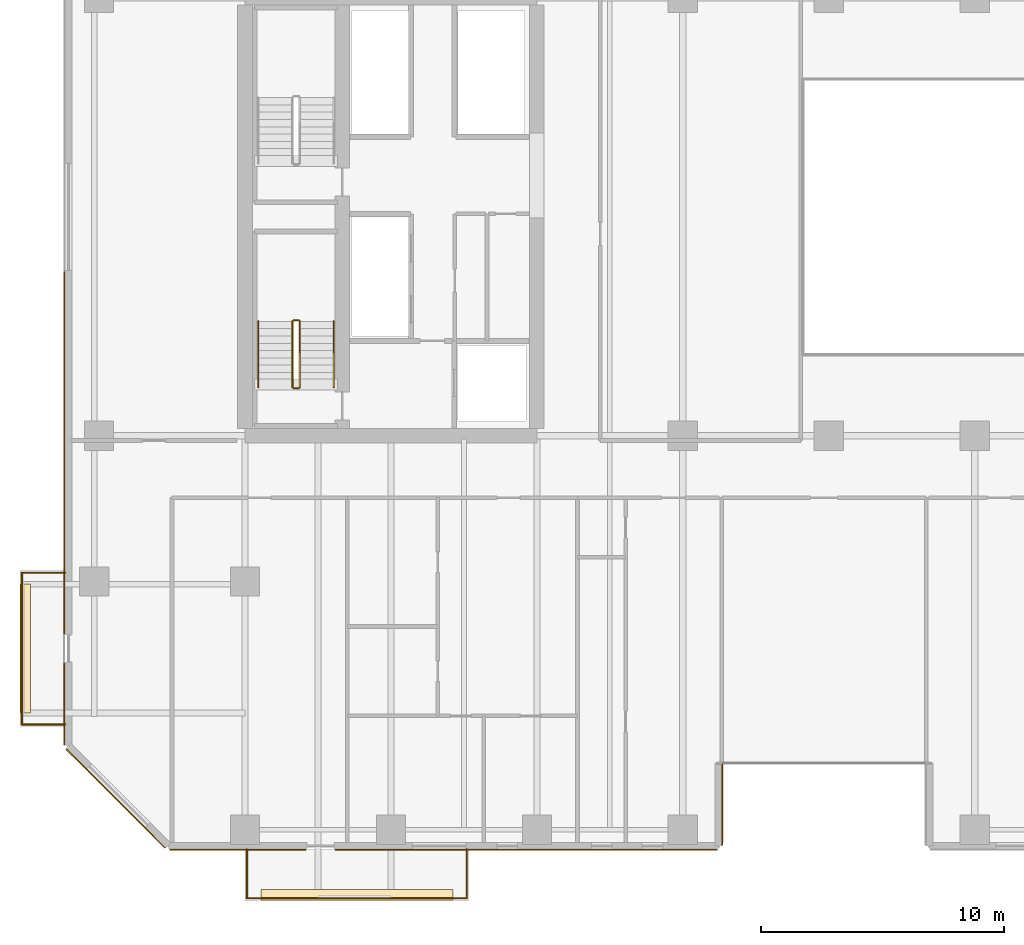
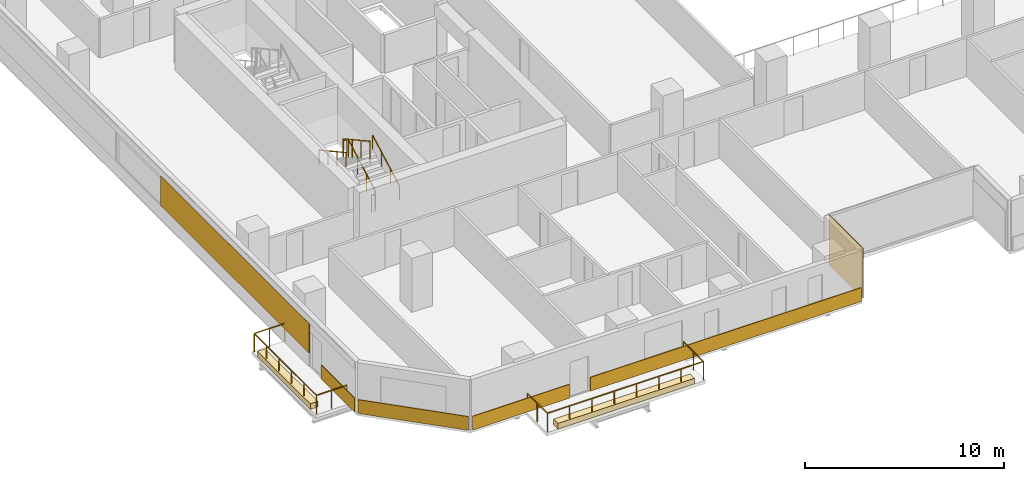
# One storey, part 18 of 26: 8 coverings, 8 railings.
"""IFC4 building model written with IfcOpenShell, lengths in metres."""

import ifcopenshell
import ifcopenshell.guid

model = None  # the IFC model being written
_history = None  # IfcOwnerHistory: only IFC2X3 demands one
_inside = {}  # id of a spatial element -> (the spatial element, [elements in it])
_under = {}  # id of a project, library or spatial element -> (it, [spatial elements below it])
_declared = {}  # id of a project -> (the project, [libraries it declares])
_typed = {}  # id of a type object -> (the type object, [elements of that type])
_made_of = {}  # id of a material, layer set ... -> (it, [elements and type objects made of it])


def new_model(schema):
    """Start an empty IFC model of exactly this schema.

    Asked for "IFC4X3", IfcOpenShell would pick the latest addendum, in which some entities
    have other attributes; the version numbers below select the first issue.
    IFC2X3 requires an IfcOwnerHistory on every rooted entity: one is made here for all.
    """
    global model, _history
    if schema == "IFC4X3":
        model = ifcopenshell.file(schema_version=(4, 3, 0, 0))
    else:
        model = ifcopenshell.file(schema=schema)
    _inside.clear()
    _under.clear()
    _declared.clear()
    _typed.clear()
    _made_of.clear()
    _history = None
    if model.schema == "IFC2X3":
        org = make("IfcOrganization", Name="unknown")
        user = make(
            "IfcPersonAndOrganization",
            ThePerson=make("IfcPerson", FamilyName="unknown"),
            TheOrganization=org,
        )
        app = make(
            "IfcApplication",
            ApplicationDeveloper=org,
            Version="unknown",
            ApplicationFullName="unknown",
            ApplicationIdentifier="unknown",
        )
        _history = make(
            "IfcOwnerHistory",
            OwningUser=user,
            OwningApplication=app,
            ChangeAction="ADDED",
            CreationDate=0,
        )
    return model


def make(cls, **values):
    """One entity of the class cls with the attributes given. An attribute that is None is left unset."""
    return model.create_entity(
        cls, **{name: value for name, value in values.items() if value is not None}
    )


def rooted(cls, **values):
    """An entity with a GlobalId (a new one), such as an element, a storey or a relation."""
    return make(cls, GlobalId=ifcopenshell.guid.new(), OwnerHistory=_history, **values)


def si_unit(unit_type, name, prefix=None):
    """IfcSIUnit, for example si_unit("LENGTHUNIT", "METRE", prefix="MILLI")."""
    return make("IfcSIUnit", UnitType=unit_type, Prefix=prefix, Name=name)


def assignment(units):
    """IfcUnitAssignment: the units of a project."""
    return None if units is None else make("IfcUnitAssignment", Units=units)


def point(xyz):
    """IfcCartesianPoint."""
    return None if xyz is None else make("IfcCartesianPoint", Coordinates=xyz)


def direction(xyz):
    """IfcDirection."""
    return None if xyz is None else make("IfcDirection", DirectionRatios=xyz)


def frame(location, z_axis=None, x_axis=None):
    """IfcAxis2Placement3D, a coordinate frame: its origin and axes. An axis left out is left unset."""
    return make(
        "IfcAxis2Placement3D",
        Location=point(location),
        Axis=direction(z_axis),
        RefDirection=direction(x_axis),
    )


def frame_2d(location, x_axis=None):
    """IfcAxis2Placement2D, a coordinate frame in the plane: its origin and x axis."""
    return make(
        "IfcAxis2Placement2D", Location=point(location), RefDirection=direction(x_axis)
    )


def origin():
    """The frame at (0, 0, 0) with its axes left unset."""
    return frame((0.0, 0.0, 0.0))


def origin_2d():
    """The frame at (0, 0) in the plane with its x axis left unset."""
    return frame_2d((0.0, 0.0))


def place(relative_to, where):
    """IfcLocalPlacement: puts the frame where relative to a parent placement (None: the world)."""
    return make(
        "IfcLocalPlacement", PlacementRelTo=relative_to, RelativePlacement=where
    )


def context(
    kind, dimensions, precision=None, world=None, true_north=None, identifier=None
):
    """IfcGeometricRepresentationContext, for example the 3D "Model" context."""
    return make(
        "IfcGeometricRepresentationContext",
        ContextIdentifier=identifier,
        ContextType=kind,
        CoordinateSpaceDimension=dimensions,
        Precision=precision,
        WorldCoordinateSystem=world,
        TrueNorth=true_north,
    )


def subcontext(parent, identifier, kind, view, scale=None):
    """IfcGeometricRepresentationSubContext, for example "Body" below "Model"."""
    return make(
        "IfcGeometricRepresentationSubContext",
        ContextIdentifier=identifier,
        ContextType=kind,
        ParentContext=parent,
        TargetScale=scale,
        TargetView=view,
    )


def project(units=None, contexts=None):
    """IfcProject with its units and contexts."""
    return rooted(
        "IfcProject",
        Name="project",
        RepresentationContexts=contexts,
        UnitsInContext=assignment(units),
    )


def spatial(cls, under=None, at=None, **own):
    """A site, building, storey or space (cls), placed at a placement, below another one or the project."""
    s = rooted(cls, ObjectPlacement=at, **own)
    if under is not None:
        _under.setdefault(under.id(), (under, []))[1].append(s)
    return s


def polyline(points):
    """IfcPolyline through the points."""
    return make("IfcPolyline", Points=[point(p) for p in points])


def profile(cls, at=None, kind="AREA", **sizes):
    """A parametric profile (cls). Its sizes go by their IFC names, for example OverallWidth=200.0."""
    return make(cls, ProfileType=kind, Position=at, **sizes)


def rectangle(**sizes):
    """IfcRectangleProfileDef."""
    return profile("IfcRectangleProfileDef", **sizes)


def outline(outer, holes=None, kind="AREA"):
    """IfcArbitraryClosedProfileDef: a profile drawn as a closed curve; with holes, ...WithVoids."""
    if holes is None:
        return make("IfcArbitraryClosedProfileDef", ProfileType=kind, OuterCurve=outer)
    return make(
        "IfcArbitraryProfileDefWithVoids",
        ProfileType=kind,
        OuterCurve=outer,
        InnerCurves=holes,
    )


def extrude(swept, where, along, depth):
    """IfcExtrudedAreaSolid: the profile swept, set in the frame where, extruded along a direction by depth."""
    return make(
        "IfcExtrudedAreaSolid",
        SweptArea=swept,
        Position=where,
        ExtrudedDirection=direction(along),
        Depth=depth,
    )


def shape(context_of_items, identifier, shape_type, items):
    """IfcShapeRepresentation: the items that make up one representation, for example the "Body"."""
    return make(
        "IfcShapeRepresentation",
        ContextOfItems=context_of_items,
        RepresentationIdentifier=identifier,
        RepresentationType=shape_type,
        Items=items,
    )


def material(Name=None, Category=None):
    """IfcMaterial."""
    return make("IfcMaterial", Name=Name, Category=Category)


def layer(
    of_material, thickness, ventilated=None, Name=None, Category=None, Priority=None
):
    """IfcMaterialLayer: one layer of a wall or slab, of a material (None: an air gap)."""
    return make(
        "IfcMaterialLayer",
        Material=of_material,
        LayerThickness=thickness,
        IsVentilated=ventilated,
        Name=Name,
        Category=Category,
        Priority=Priority,
    )


def layer_set(layers, Name=None):
    """IfcMaterialLayerSet."""
    return make("IfcMaterialLayerSet", MaterialLayers=layers, LayerSetName=Name)


def made_of(thing, what):
    """Note that an element or type object is made of a material, layer set ...; save() writes the relation."""
    if what is not None:
        _made_of.setdefault(what.id(), (what, []))[1].append(thing)
    return thing


def type_object(cls, material=None, **own):
    """A type object (cls), such as IfcWallType, which elements share."""
    return made_of(rooted(cls, **own), material)


def element(
    cls,
    number,
    at=None,
    inside=None,
    cuts=None,
    type_object=None,
    material=None,
    context=None,
    identifier="Body",
    shape_type=None,
    held_by="IfcProductDefinitionShape",
    body=None,
    shapes=None,
    **own,
):
    """One element of the class cls, such as IfcWall. Its Tag is "e" and its number.

    at: its placement. inside: the storey or other place that contains it. cuts: it is an
    opening in that element (IfcRelVoidsElement). A single representation is given by context,
    identifier, shape_type and body (its items); several are given by shapes. held_by: the class
    of the entity that holds the representations. save() writes the other relations.
    """
    e = rooted(cls, Tag="e%d" % number, ObjectPlacement=at, **own)
    if body is not None:
        shapes = [shape(context, identifier, shape_type, body)]
    if shapes is not None:
        e.Representation = make(held_by, Representations=shapes)
    if inside is not None:
        _inside.setdefault(inside.id(), (inside, []))[1].append(e)
    if cuts is not None:
        rooted(
            "IfcRelVoidsElement", RelatingBuildingElement=cuts, RelatedOpeningElement=e
        )
    if type_object is not None:
        _typed.setdefault(type_object.id(), (type_object, []))[1].append(e)
    return made_of(e, material)


def aggregate(whole, parts):
    """IfcRelAggregates: a whole, such as a stair, and the parts it consists of."""
    return rooted("IfcRelAggregates", RelatingObject=whole, RelatedObjects=parts)


def save(model, path):
    """Write the relations noted so far, then the file.

    IfcRelAggregates (storeys below a building ...), IfcRelContainedInSpatialStructure (elements
    in a storey), IfcRelDefinesByType, IfcRelAssociatesMaterial and IfcRelDeclares: one each for
    every whole, place, type object, material and project.
    """
    for whole, parts in _under.values():
        aggregate(whole, parts)
    for where, things in _inside.values():
        rooted(
            "IfcRelContainedInSpatialStructure",
            RelatedElements=things,
            RelatingStructure=where,
        )
    for kind, things in _typed.values():
        rooted("IfcRelDefinesByType", RelatedObjects=things, RelatingType=kind)
    for what, things in _made_of.values():
        rooted("IfcRelAssociatesMaterial", RelatedObjects=things, RelatingMaterial=what)
    for by, libraries in _declared.values():
        rooted("IfcRelDeclares", RelatingContext=by, RelatedDefinitions=libraries)
    model.write(path)


model = new_model("IFC4")

# Units and contexts
model_context = context("Model", 3, precision=1e-05, world=origin(), true_north=direction((0.0, 1.0)))
body_context = subcontext(model_context, "Body", "Model", "MODEL_VIEW")
ifc_project = project(units=[si_unit("LENGTHUNIT", "METRE"), si_unit("AREAUNIT", "SQUARE_METRE"), si_unit("VOLUMEUNIT", "CUBIC_METRE"), si_unit("PLANEANGLEUNIT", "RADIAN"), si_unit("MASSUNIT", "GRAM", prefix="KILO")], contexts=[model_context])

# Site, building, storey
site_placement = place(None, origin())
site = spatial("IfcSite", under=ifc_project, at=site_placement, CompositionType="ELEMENT")
building_placement = place(site_placement, origin())
building = spatial("IfcBuilding", under=site, at=building_placement, Name="Tanjung Sevakor Pilgrim Tower", CompositionType="ELEMENT")
storey_placement = place(building_placement, frame((0.0, 0.0, 45.5400390625)))
storey = spatial("IfcBuildingStorey", under=building, at=storey_placement, Name="L12", CompositionType="ELEMENT", Elevation=45.5400390625)

# Coverings
ifc_material_1 = material(Name="Reconstructed Limestone Cladding", Category="masonry")
ifc_layer_1 = layer(ifc_material_1, 0.044921875)
ifc_layer_set_1 = layer_set([ifc_layer_1], Name="COV-CLAD-LIMESTONE")
covering_type_1 = type_object("IfcCoveringType", Name="COV-CLAD-LIMESTONE", PredefinedType="CLADDING", material=ifc_layer_set_1)
covering_1_placement = place(storey_placement, frame((23.694091796875, 7.577392578125, 0.009765625), z_axis=(0.0, 0.0, 1.0), x_axis=(1.0, 0.0, 0.0)))
element("IfcCovering", 1, at=covering_1_placement, inside=storey, type_object=covering_type_1, Name="L12 Warm Limestone Sill Spandrel EW-L12-MAIN-1-1", PredefinedType="CLADDING", context=body_context, shape_type="SweptSolid", body=[
    extrude(rectangle(XDim=5.592041015625, YDim=0.044921875, at=origin_2d()), origin(), (0.0, 0.0, 1.0), 0.840087890625),
])
covering_2_placement = place(storey_placement, frame((35.56494140625, 7.577392578125, 0.009765625), z_axis=(0.0, 0.0, 1.0), x_axis=(1.0, 0.0, 0.0)))
element("IfcCovering", 2, at=covering_2_placement, inside=storey, type_object=covering_type_1, Name="L12 Warm Limestone Sill Spandrel EW-L12-MAIN-1-2", PredefinedType="CLADDING", context=body_context, shape_type="SweptSolid", body=[
    extrude(rectangle(XDim=15.7099609375, YDim=0.044921875, at=origin_2d()), origin(), (0.0, 0.0, 1.0), 0.840087890625),
])
covering_3_placement = place(storey_placement, frame((43.62255859375, 9.43994140625, 0.02001953125), z_axis=(0.0, 0.0, 1.0), x_axis=(0.0, 1.0, 0.0)))
element("IfcCovering", 3, at=covering_3_placement, inside=storey, type_object=covering_type_1, Name="L12 Warm Limestone Wall Cladding EW-L12-MAIN-2", PredefinedType="CLADDING", context=body_context, shape_type="SweptSolid", body=[
    extrude(rectangle(XDim=3.360107421875, YDim=0.044921875, at=origin_2d()), origin(), (0.0, 0.0, 1.0), 3.0400390625),
])
covering_4_placement = place(storey_placement, frame((16.577392578125, 13.569091796875, 0.009765625), z_axis=(0.0, 0.0, 1.0), x_axis=(0.0, -1.0, 0.0)))
element("IfcCovering", 4, at=covering_4_placement, inside=storey, type_object=covering_type_1, Name="L12 Warm Limestone Sill Spandrel EW-L12-MAIN-15-3", PredefinedType="CLADDING", context=body_context, shape_type="SweptSolid", body=[
    extrude(rectangle(XDim=3.342041015625, YDim=0.044921875, at=origin_2d()), origin(), (0.0, 0.0, 1.0), 0.840087890625),
])
covering_5_placement = place(storey_placement, frame((16.577392578125, 23.89990234375, 0.849853515625), z_axis=(0.0, 0.0, 1.0), x_axis=(0.0, -1.0, 0.0)))
element("IfcCovering", 5, at=covering_5_placement, inside=storey, type_object=covering_type_1, Name="L12 Warm Limestone Pier Panel EW-L12-MAIN-15-2", PredefinedType="CLADDING", context=body_context, shape_type="SweptSolid", body=[
    extrude(rectangle(XDim=14.89990234375, YDim=0.044921875, at=origin_2d()), origin(), (0.0, 0.0, 1.0), 1.81005859375),
])
covering_6_placement = place(storey_placement, frame((18.68408203125, 9.68408203125, 0.009765625), z_axis=(0.0, 0.0, 1.0), x_axis=(0.707106781187, -0.707106781187, 0.0)))
element("IfcCovering", 6, at=covering_6_placement, inside=storey, type_object=covering_type_1, Name="L12 Warm Limestone Sill Spandrel EW-CHM-L12-MAIN-15-1", PredefinedType="CLADDING", context=body_context, shape_type="SweptSolid", body=[
    extrude(rectangle(XDim=5.74365234375, YDim=0.044921875, at=origin_2d()), origin(), (0.0, 0.0, 1.0), 0.840087890625),
])
ifc_material_2 = material(Name="Vegetated Modular Planter Assembly", Category="organic")
ifc_layer_2 = layer(ifc_material_2, 0.35009765625)
ifc_layer_set_2 = layer_set([ifc_layer_2], Name="COV-GRN-TROUGH")
covering_type_2 = type_object("IfcCoveringType", Name="COV-GRN-TROUGH", PredefinedType="CLADDING", material=ifc_layer_set_2)
covering_7_placement = place(storey_placement, origin())
element("IfcCovering", 7, at=covering_7_placement, inside=storey, type_object=covering_type_2, Name="L12 Planted Landscape Hedge Trough BGRN-L12-MAIN-S1", PredefinedType="CLADDING", context=body_context, shape_type="SweptSolid", body=[
    extrude(outline(polyline([(24.64990234375, 5.5), (32.550048828125, 5.5), (32.550048828125, 5.93994140625), (24.64990234375, 5.93994140625), (24.64990234375, 5.5)])), origin(), (0.0, 0.0, 1.0), 0.349853515625),
])
covering_8_placement = place(storey_placement, origin())
element("IfcCovering", 8, at=covering_8_placement, inside=storey, type_object=covering_type_2, Name="L12 Planted Landscape Hedge Trough BGRN-L12-MAIN-W1", PredefinedType="CLADDING", context=body_context, shape_type="SweptSolid", body=[
    extrude(outline(polyline([(15.18994140625, 13.199951171875), (15.18994140625, 18.5), (14.75, 18.5), (14.75, 13.199951171875), (15.18994140625, 13.199951171875)])), origin(), (0.0, 0.0, 1.0), 0.349853515625),
])

# Railings
ifc_material_3 = material(Name="Laminated Glass and Aluminium", Category="aluminium")
railing_type_1 = type_object("IfcRailingType", Name="RL-BAL-BALUST", PredefinedType="BALUSTRADE", material=ifc_material_3)
railing_1_placement = place(storey_placement, frame((24.080078125, 7.60009765625, 0.0)))
element("IfcRailing", 9, at=railing_1_placement, inside=storey, type_object=railing_type_1, Name="L12 Loggia Balustrade MAIN-S1", PredefinedType="BALUSTRADE", context=body_context, shape_type="SweptSolid", body=[
    extrude(rectangle(XDim=0.0479, YDim=0.0479), frame((0.0, 0.0, 1.1259765625), z_axis=(0.0, -1.0, 0.0), x_axis=(1.0, 0.0, 0.0)), (0.0, 0.0, 1.0), 2.02001953125),
    extrude(rectangle(XDim=0.0479, YDim=0.0479), frame((0.0, -2.02001953125, 1.1259765625), z_axis=(1.0, 0.0, 0.0), x_axis=(0.0, 1.0, 0.0)), (0.0, 0.0, 1.0), 9.0400390625),
    extrude(rectangle(XDim=0.0479, YDim=0.0479), frame((9.0400390625, -2.02001953125, 1.1259765625), z_axis=(0.0, 1.0, 0.0), x_axis=(-1.0, 0.0, 0.0)), (0.0, 0.0, 1.0), 2.02001953125),
    extrude(rectangle(XDim=0.042, YDim=0.042), origin(), (0.0, 0.0, 1.0), 1.101806640625),
    extrude(rectangle(XDim=0.042, YDim=0.042), frame((0.0, -1.010009765625, 0.0)), (0.0, 0.0, 1.0), 1.101806640625),
    extrude(rectangle(XDim=0.042, YDim=0.042), frame((0.0, -2.02001953125, 0.0)), (0.0, 0.0, 1.0), 1.101806640625),
    extrude(rectangle(XDim=0.042, YDim=0.042), frame((1.29150390625, -2.02001953125, 0.0)), (0.0, 0.0, 1.0), 1.101806640625),
    extrude(rectangle(XDim=0.042, YDim=0.042), frame((2.582763671875, -2.02001953125, 0.0)), (0.0, 0.0, 1.0), 1.101806640625),
    extrude(rectangle(XDim=0.042, YDim=0.042), frame((3.874267578125, -2.02001953125, 0.0)), (0.0, 0.0, 1.0), 1.101806640625),
    extrude(rectangle(XDim=0.042, YDim=0.042), frame((5.165771484375, -2.02001953125, 0.0)), (0.0, 0.0, 1.0), 1.101806640625),
    extrude(rectangle(XDim=0.042, YDim=0.042), frame((6.457275390625, -2.02001953125, 0.0)), (0.0, 0.0, 1.0), 1.101806640625),
    extrude(rectangle(XDim=0.042, YDim=0.042), frame((7.74853515625, -2.02001953125, 0.0)), (0.0, 0.0, 1.0), 1.101806640625),
    extrude(rectangle(XDim=0.042, YDim=0.042), frame((9.0400390625, -2.02001953125, 0.0)), (0.0, 0.0, 1.0), 1.101806640625),
    extrude(rectangle(XDim=0.042, YDim=0.042), frame((9.0400390625, -1.010009765625, 0.0)), (0.0, 0.0, 1.0), 1.101806640625),
    extrude(rectangle(XDim=0.042, YDim=0.042), frame((9.0400390625, 0.0, 0.0)), (0.0, 0.0, 1.0), 1.101806640625),
])
railing_2_placement = place(storey_placement, frame((16.60009765625, 12.72998046875, 0.0)))
element("IfcRailing", 10, at=railing_2_placement, inside=storey, type_object=railing_type_1, Name="L12 Loggia Balustrade MAIN-W1", PredefinedType="BALUSTRADE", context=body_context, shape_type="SweptSolid", body=[
    extrude(rectangle(XDim=0.0479, YDim=0.0479), frame((0.0, 0.0, 1.1259765625), z_axis=(-1.0, 0.0, 0.0), x_axis=(0.0, -1.0, 0.0)), (0.0, 0.0, 1.0), 1.77001953125),
    extrude(rectangle(XDim=0.0479, YDim=0.0479), frame((-1.77001953125, 0.0, 1.1259765625), z_axis=(0.0, 1.0, 0.0), x_axis=(-1.0, 0.0, 0.0)), (0.0, 0.0, 1.0), 6.239990234375),
    extrude(rectangle(XDim=0.0479, YDim=0.0479), frame((-1.77001953125, 6.239990234375, 1.1259765625), z_axis=(1.0, 0.0, 0.0), x_axis=(0.0, 1.0, 0.0)), (0.0, 0.0, 1.0), 1.77001953125),
    extrude(rectangle(XDim=0.042, YDim=0.042), origin(), (0.0, 0.0, 1.0), 1.101806640625),
    extrude(rectangle(XDim=0.042, YDim=0.042), frame((-0.885009765625, 0.0, 0.0)), (0.0, 0.0, 1.0), 1.101806640625),
    extrude(rectangle(XDim=0.042, YDim=0.042), frame((-1.77001953125, 0.0, 0.0)), (0.0, 0.0, 1.0), 1.101806640625),
    extrude(rectangle(XDim=0.042, YDim=0.042), frame((-1.77001953125, 1.248046875, 0.0)), (0.0, 0.0, 1.0), 1.101806640625),
    extrude(rectangle(XDim=0.042, YDim=0.042), frame((-1.77001953125, 2.49609375, 0.0)), (0.0, 0.0, 1.0), 1.101806640625),
    extrude(rectangle(XDim=0.042, YDim=0.042), frame((-1.77001953125, 3.743896484375, 0.0)), (0.0, 0.0, 1.0), 1.101806640625),
    extrude(rectangle(XDim=0.042, YDim=0.042), frame((-1.77001953125, 4.991943359375, 0.0)), (0.0, 0.0, 1.0), 1.101806640625),
    extrude(rectangle(XDim=0.042, YDim=0.042), frame((-1.77001953125, 6.239990234375, 0.0)), (0.0, 0.0, 1.0), 1.101806640625),
    extrude(rectangle(XDim=0.042, YDim=0.042), frame((-0.885009765625, 6.239990234375, 0.0)), (0.0, 0.0, 1.0), 1.101806640625),
    extrude(rectangle(XDim=0.042, YDim=0.042), frame((0.0, 6.239990234375, 0.0)), (0.0, 0.0, 1.0), 1.101806640625),
])
ifc_material_4 = material(Name="Steel S355J2", Category="steel")
railing_type_2 = type_object("IfcRailingType", Name="RL-STAIR-GUARD", PredefinedType="GUARDRAIL", material=ifc_material_4)
railing_3_placement = place(storey_placement, frame((26.25, 26.60009765625, 0.1650390625)))
element("IfcRailing", 11, at=railing_3_placement, inside=storey, type_object=railing_type_2, Name="L12 TS-W1 stair guard 1", PredefinedType="GUARDRAIL", context=body_context, shape_type="SweptSolid", body=[
    extrude(rectangle(XDim=0.0479, YDim=0.0479), frame((0.0, 0.0, 1.076171875), z_axis=(0.0, 0.876230963923, 0.481891375584), x_axis=(-1.0, 0.0, 0.0)), (0.0, 0.0, 1.0), 3.081298828125),
    extrude(rectangle(XDim=0.042, YDim=0.042), origin(), (0.0, 0.0, 1.0), 1.052001953125),
    extrude(rectangle(XDim=0.042, YDim=0.042), frame((0.0, 0.89990234375, 0.494873046875)), (0.0, 0.0, 1.0), 1.052001953125),
    extrude(rectangle(XDim=0.042, YDim=0.042), frame((0.0, 1.800048828125, 0.989990234375)), (0.0, 0.0, 1.0), 1.052001953125),
    extrude(rectangle(XDim=0.042, YDim=0.042), frame((0.0, 2.699951171875, 1.48486328125)), (0.0, 0.0, 1.0), 1.052001953125),
])
railing_4_placement = place(storey_placement, frame((26.199951171875, 29.35009765625, 1.64990234375)))
element("IfcRailing", 12, at=railing_4_placement, inside=storey, type_object=railing_type_2, Name="L12 TS-W1 stair guard 2", PredefinedType="GUARDRAIL", context=body_context, shape_type="SweptSolid", body=[
    extrude(rectangle(XDim=0.0479, YDim=0.0479), frame((0.0, 0.0, 1.076171875), z_axis=(-1.0, 0.0, 0.0), x_axis=(0.0, -1.0, 0.0)), (0.0, 0.0, 1.0), 0.199951171875),
    extrude(rectangle(XDim=0.042, YDim=0.042), origin(), (0.0, 0.0, 1.0), 1.052001953125),
    extrude(rectangle(XDim=0.042, YDim=0.042), frame((-0.199951171875, 0.0, 0.0)), (0.0, 0.0, 1.0), 1.052001953125),
])
railing_5_placement = place(storey_placement, frame((25.949951171875, 29.300048828125, 1.81494140625)))
element("IfcRailing", 13, at=railing_5_placement, inside=storey, type_object=railing_type_2, Name="L12 TS-W1 stair guard 3", PredefinedType="GUARDRAIL", context=body_context, shape_type="SweptSolid", body=[
    extrude(rectangle(XDim=0.0479, YDim=0.0479), frame((0.0, 0.0, 1.076171875), z_axis=(0.0, -0.876197507361, 0.481952205197), x_axis=(1.0, 0.0, 0.0)), (0.0, 0.0, 1.0), 3.08154296875),
    extrude(rectangle(XDim=0.042, YDim=0.042), origin(), (0.0, 0.0, 1.0), 1.052001953125),
    extrude(rectangle(XDim=0.042, YDim=0.042), frame((0.0, -0.89990234375, 0.4951171875)), (0.0, 0.0, 1.0), 1.052001953125),
    extrude(rectangle(XDim=0.042, YDim=0.042), frame((0.0, -1.800048828125, 0.989990234375)), (0.0, 0.0, 1.0), 1.052001953125),
    extrude(rectangle(XDim=0.042, YDim=0.042), frame((0.0, -2.699951171875, 1.485107421875)), (0.0, 0.0, 1.0), 1.052001953125),
])
railing_6_placement = place(storey_placement, frame((26.199951171875, 26.550048828125, 0.0)))
element("IfcRailing", 14, at=railing_6_placement, inside=storey, type_object=railing_type_2, Name="L12 TS-W1 stair guard 4", PredefinedType="GUARDRAIL", context=body_context, shape_type="SweptSolid", body=[
    extrude(rectangle(XDim=0.0479, YDim=0.0479), frame((0.0, 0.0, 1.076171875), z_axis=(-1.0, 0.0, 0.0), x_axis=(0.0, -1.0, 0.0)), (0.0, 0.0, 1.0), 0.199951171875),
    extrude(rectangle(XDim=0.042, YDim=0.042), origin(), (0.0, 0.0, 1.0), 1.052001953125),
    extrude(rectangle(XDim=0.042, YDim=0.042), frame((-0.199951171875, 0.0, 0.0)), (0.0, 0.0, 1.0), 1.052001953125),
])
ifc_material_5 = material(Name="Steel S355J2", Category="steel")
railing_type_3 = type_object("IfcRailingType", Name="RL-STAIR-HAND", PredefinedType="HANDRAIL", material=ifc_material_5)
railing_7_placement = place(storey_placement, frame((27.64990234375, 26.60009765625, 0.1650390625)))
element("IfcRailing", 15, at=railing_7_placement, inside=storey, type_object=railing_type_3, Name="L12 TS-W1 stair handrail 1", PredefinedType="HANDRAIL", context=body_context, shape_type="SweptSolid", body=[
    extrude(rectangle(XDim=0.0479, YDim=0.0479), frame((0.0, 0.0, 0.8759765625), z_axis=(0.0, 0.876230963923, 0.481891375584), x_axis=(-1.0, 0.0, 0.0)), (0.0, 0.0, 1.0), 3.081298828125),
    extrude(rectangle(XDim=0.042, YDim=0.042), origin(), (0.0, 0.0, 1.0), 0.851806640625),
    extrude(rectangle(XDim=0.042, YDim=0.042), frame((0.0, 0.89990234375, 0.494873046875)), (0.0, 0.0, 1.0), 0.851806640625),
    extrude(rectangle(XDim=0.042, YDim=0.042), frame((0.0, 1.800048828125, 0.989990234375)), (0.0, 0.0, 1.0), 0.851806640625),
    extrude(rectangle(XDim=0.042, YDim=0.042), frame((0.0, 2.699951171875, 1.48486328125)), (0.0, 0.0, 1.0), 0.851806640625),
])
railing_8_placement = place(storey_placement, frame((24.550048828125, 29.300048828125, 1.81494140625)))
element("IfcRailing", 16, at=railing_8_placement, inside=storey, type_object=railing_type_3, Name="L12 TS-W1 stair handrail 2", PredefinedType="HANDRAIL", context=body_context, shape_type="SweptSolid", body=[
    extrude(rectangle(XDim=0.0479, YDim=0.0479), frame((0.0, 0.0, 0.8759765625), z_axis=(0.0, -0.876197507361, 0.481952205197), x_axis=(1.0, 0.0, 0.0)), (0.0, 0.0, 1.0), 3.08154296875),
    extrude(rectangle(XDim=0.042, YDim=0.042), origin(), (0.0, 0.0, 1.0), 0.851806640625),
    extrude(rectangle(XDim=0.042, YDim=0.042), frame((0.0, -0.89990234375, 0.4951171875)), (0.0, 0.0, 1.0), 0.851806640625),
    extrude(rectangle(XDim=0.042, YDim=0.042), frame((0.0, -1.800048828125, 0.989990234375)), (0.0, 0.0, 1.0), 0.851806640625),
    extrude(rectangle(XDim=0.042, YDim=0.042), frame((0.0, -2.699951171875, 1.485107421875)), (0.0, 0.0, 1.0), 0.851806640625),
])

save(model, "model.ifc")
